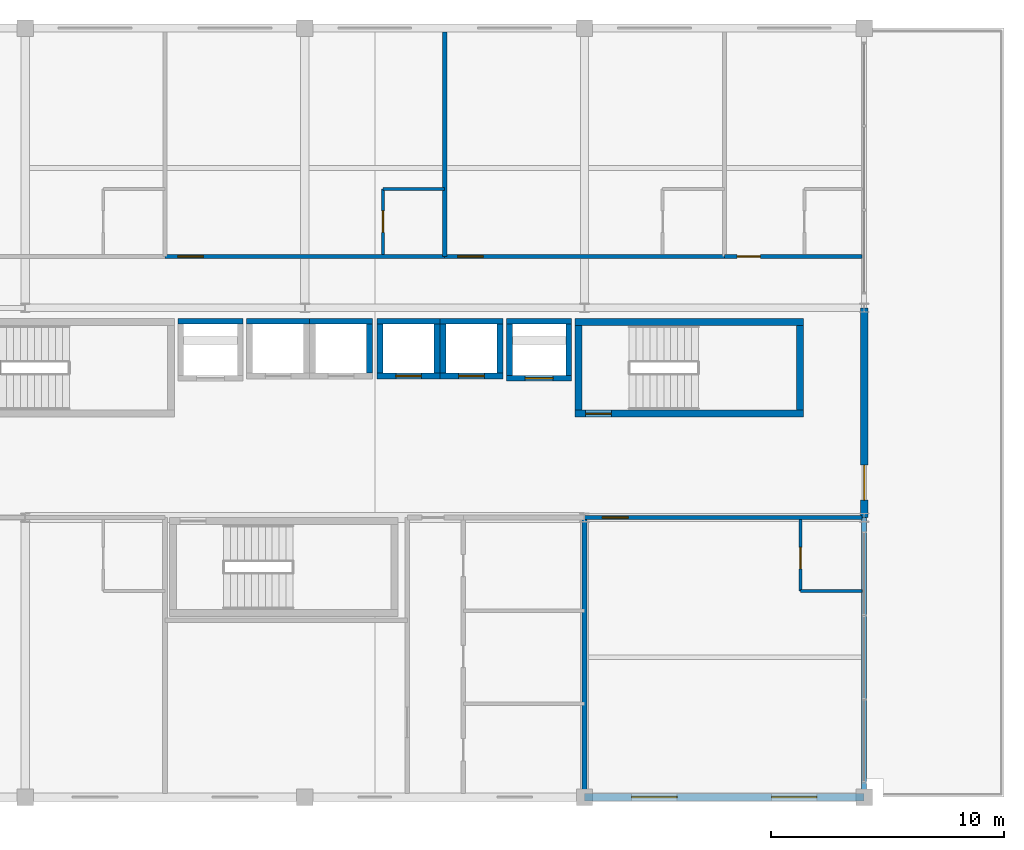
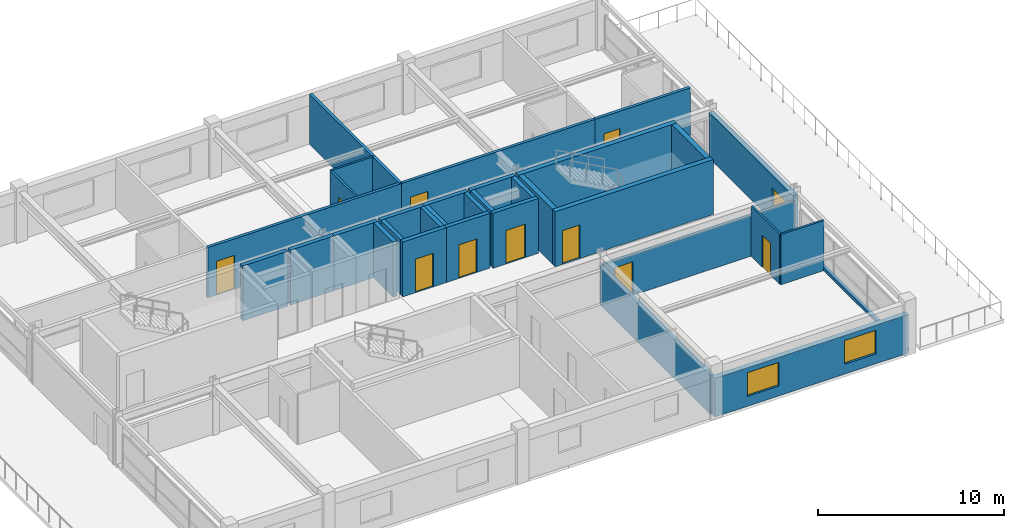
# One storey, part 21 of 24: 33 walls, 11 doors, 2 windows, 13 openings.
"""IFC4 building model written with IfcOpenShell, lengths in metres."""

from ifc_helpers import new_model, si_unit, direction, frame, frame_2d, origin, place, context, subcontext, project, spatial, rectangle, extrude, material, layer, layer_set, type_object, element, fill, save


model = new_model("IFC4")

# Units and contexts
model_context = context("Model", 3, precision=1e-05, world=origin(), true_north=direction((0.0, 1.0)))
body_context = subcontext(model_context, "Body", "Model", "MODEL_VIEW")
ifc_project = project(units=[si_unit("LENGTHUNIT", "METRE"), si_unit("AREAUNIT", "SQUARE_METRE"), si_unit("VOLUMEUNIT", "CUBIC_METRE"), si_unit("PLANEANGLEUNIT", "RADIAN"), si_unit("MASSUNIT", "GRAM", prefix="KILO")], contexts=[model_context])

# Site, building, storey
site_placement = place(None, origin())
site = spatial("IfcSite", under=ifc_project, at=site_placement, CompositionType="ELEMENT")
building_placement = place(site_placement, origin())
building = spatial("IfcBuilding", under=site, at=building_placement, Name="Kaldorvane Square Convention Centre", CompositionType="ELEMENT")
storey_placement = place(building_placement, frame((0.0, 0.0, 60.0)))
storey = spatial("IfcBuildingStorey", under=building, at=storey_placement, Name="L14", CompositionType="ELEMENT", Elevation=60.0)

# Wall, opening, door
ifc_material_1 = material(Name="Fire-Rated Gypsum Board on Acoustic Steel Studs", Category="steel")
ifc_layer_1 = layer(ifc_material_1, 0.125)
ifc_layer_set_1 = layer_set([ifc_layer_1], Name="Fire-Rated Gypsum Board on Acoustic Steel Studs")
wall_type_1 = type_object("IfcWallType", Name="WL-BATH-125", PredefinedType="PARTITIONING", material=ifc_layer_set_1)
wall_1_placement = place(storey_placement, frame((57.350006103515625, 107.28999328613281, 0.0), z_axis=(0.0, 0.0, 1.0), x_axis=(0.0, 1.0, 0.0)))
wall_1 = element("IfcWall", 1, at=wall_1_placement, inside=storey, type_object=wall_type_1, Name="En-Suite 1402 West Wall", PredefinedType="PARTITIONING", context=body_context, shape_type="SweptSolid", body=[
    extrude(rectangle(XDim=2.8100128173828125, YDim=0.125, at=frame_2d((1.404998779296875, 0.0))), origin(), (0.0, 0.0, 1.0), 3.2899932861328125),
])
opening_1_placement = place(wall_1_placement, frame((0.9499969482421875, 0.0, 0.0)))
opening_1 = element("IfcOpeningElement", 2, at=opening_1_placement, cuts=wall_1, Name="Opening ID-12", PredefinedType="OPENING", context=body_context, shape_type="SweptSolid", body=[
    extrude(rectangle(XDim=0.9199981689453125, YDim=2.100006103515625, at=frame_2d((0.459991455078125, 1.0500030517578125))), frame((0.0, 0.0774993896484375, 0.0), z_axis=(0.0, -1.0, 0.0), x_axis=(1.0, 0.0, 0.0)), (0.0, 0.0, 1.0), 0.154998779296875),
])
ifc_material_2 = material(Name="Architectural Solid-Core White Oak")
door_type_1 = type_object("IfcDoorType", Name="DR-BATH-0920X2100", OperationType="SINGLE_SWING_RIGHT", PredefinedType="DOOR", material=ifc_material_2)
door_1_placement = place(opening_1_placement, origin())
door_1 = element("IfcDoor", 3, at=door_1_placement, inside=storey, type_object=door_type_1, Name="En-Suite Bathroom 1402 Door", OperationType="SINGLE_SWING_RIGHT", OverallHeight=2.100006103515625, OverallWidth=0.9199981689453125, PredefinedType="DOOR", context=body_context, shape_type="SweptSolid", body=[
    extrude(rectangle(XDim=0.9199981689453125, YDim=2.100006103515625, at=frame_2d((0.459991455078125, 1.0500030517578125))), frame((0.0, 0.024993896484375, 0.0), z_axis=(0.0, -1.0, 0.0), x_axis=(1.0, 0.0, 0.0)), (0.0, 0.0, 1.0), 0.0500030517578125),
])
fill(opening_1, door_1)

# Wall
wall_2_placement = place(storey_placement, frame((57.350006103515625, 110.10000610351562, 0.0), z_axis=(0.0, 0.0, 1.0), x_axis=(1.0, 0.0, 0.0)))
element("IfcWall", 4, at=wall_2_placement, inside=storey, type_object=wall_type_1, Name="En-Suite 1402 North Wall", PredefinedType="PARTITIONING", context=body_context, shape_type="SweptSolid", body=[
    extrude(rectangle(XDim=2.649993896484375, YDim=0.125, at=frame_2d((1.3249969482421875, 0.0))), origin(), (0.0, 0.0, 1.0), 3.2899932861328125),
])

# Wall, opening, door
wall_3_placement = place(storey_placement, frame((75.26499938964844, 92.85000610351562, 0.0), z_axis=(0.0, 0.0, 1.0), x_axis=(0.0, 1.0, 0.0)))
wall_3 = element("IfcWall", 5, at=wall_3_placement, inside=storey, type_object=wall_type_1, Name="En-Suite 1406 West Wall", PredefinedType="PARTITIONING", context=body_context, shape_type="SweptSolid", body=[
    extrude(rectangle(XDim=3.05999755859375, YDim=0.125, at=frame_2d((1.529998779296875, 0.0))), origin(), (0.0, 0.0, 1.0), 3.2899932861328125),
])
opening_2_placement = place(wall_3_placement, frame((0.9499969482421875, 0.0, 0.0)))
opening_2 = element("IfcOpeningElement", 6, at=opening_2_placement, cuts=wall_3, Name="Opening ID-12", PredefinedType="OPENING", context=body_context, shape_type="SweptSolid", body=[
    extrude(rectangle(XDim=0.9199981689453125, YDim=2.100006103515625, at=frame_2d((0.459991455078125, 1.0500030517578125))), frame((0.0, 0.0774993896484375, 0.0), z_axis=(0.0, -1.0, 0.0), x_axis=(1.0, 0.0, 0.0)), (0.0, 0.0, 1.0), 0.154998779296875),
])
door_2_placement = place(opening_2_placement, origin())
door_2 = element("IfcDoor", 7, at=door_2_placement, inside=storey, type_object=door_type_1, Name="En-Suite Bathroom 1406 Door", OperationType="SINGLE_SWING_RIGHT", OverallHeight=2.100006103515625, OverallWidth=0.9199981689453125, PredefinedType="DOOR", context=body_context, shape_type="SweptSolid", body=[
    extrude(rectangle(XDim=0.9199981689453125, YDim=2.100006103515625, at=frame_2d((0.459991455078125, 1.0500030517578125))), frame((0.0, 0.024993896484375, 0.0), z_axis=(0.0, -1.0, 0.0), x_axis=(1.0, 0.0, 0.0)), (0.0, 0.0, 1.0), 0.0500030517578125),
])
fill(opening_2, door_2)

# Walls
wall_4_placement = place(storey_placement, frame((75.26499938964844, 92.85000610351562, 0.0), z_axis=(0.0, 0.0, 1.0), x_axis=(1.0, 0.0, 0.0)))
element("IfcWall", 8, at=wall_4_placement, inside=storey, type_object=wall_type_1, Name="En-Suite 1406 South Wall", PredefinedType="PARTITIONING", context=body_context, shape_type="SweptSolid", body=[
    extrude(rectangle(XDim=2.649993896484375, YDim=0.125, at=frame_2d((1.3249969482421875, 0.0))), origin(), (0.0, 0.0, 1.0), 3.2899932861328125),
])
ifc_layer_2 = layer(ifc_material_1, 0.1999969482421875)
ifc_layer_set_2 = layer_set([ifc_layer_2], Name="Fire-Rated Gypsum Board on Acoustic Steel Studs")
wall_type_2 = type_object("IfcWallType", Name="WL-CORR-200", PredefinedType="PARTITIONING", material=ifc_layer_set_2)
wall_5_placement = place(storey_placement, frame((66.0, 84.16000366210938, 0.0), z_axis=(0.0, 0.0, 1.0), x_axis=(0.0, 1.0, 0.0)))
element("IfcWall", 9, at=wall_5_placement, inside=storey, type_object=wall_type_2, Name="Restroom East Wall (L14)", PredefinedType="PARTITIONING", context=body_context, shape_type="SweptSolid", body=[
    extrude(rectangle(XDim=11.839996337890625, YDim=0.1999969482421875, at=frame_2d((5.9199981689453125, 0.0))), origin(), (0.0, 0.0, 1.0), 2.589996337890625),
])

# Wall, openings, windows
ifc_material_3 = material(Name="Concrete f'c = 35 MPa (Normalweight)", Category="concrete")
ifc_layer_3 = layer(ifc_material_3, 0.32000732421875)
ifc_layer_set_3 = layer_set([ifc_layer_3], Name="Concrete f'c = 35 MPa (Normalweight)")
wall_type_3 = type_object("IfcWallType", Name="WL-EXT-320", PredefinedType="STANDARD", material=ifc_layer_set_3)
wall_6_placement = place(storey_placement, frame((66.0, 84.0, 0.0), z_axis=(0.0, 0.0, 1.0), x_axis=(1.0, 0.0, 0.0)))
wall_6 = element("IfcWall", 10, at=wall_6_placement, inside=storey, type_object=wall_type_3, Name="Hotel S Brutalist Facade Wall (L14)", PredefinedType="STANDARD", context=body_context, shape_type="SweptSolid", body=[
    extrude(rectangle(XDim=12.0, YDim=0.32000732421875, at=frame_2d((6.0, 0.0))), origin(), (0.0, 0.0, 1.0), 2.5359954833984375),
])
opening_3_placement = place(wall_6_placement, frame((2.024993896484375, 0.0, 0.649993896484375)))
opening_3 = element("IfcOpeningElement", 11, at=opening_3_placement, cuts=wall_6, Name="Opening W-12", PredefinedType="OPENING", context=body_context, shape_type="SweptSolid", body=[
    extrude(rectangle(XDim=1.9499969482421875, YDim=1.5500030517578125, at=frame_2d((0.975006103515625, 0.774993896484375))), frame((0.0, 0.1750030517578125, 0.0), z_axis=(0.0, -1.0, 0.0), x_axis=(1.0, 0.0, 0.0)), (0.0, 0.0, 1.0), 0.350006103515625),
])
opening_4_placement = place(wall_6_placement, frame((8.024993896484375, 0.0, 0.649993896484375)))
opening_4 = element("IfcOpeningElement", 12, at=opening_4_placement, cuts=wall_6, Name="Opening W-12", PredefinedType="OPENING", context=body_context, shape_type="SweptSolid", body=[
    extrude(rectangle(XDim=1.9499969482421875, YDim=1.5500030517578125, at=frame_2d((0.975006103515625, 0.774993896484375))), frame((0.0, 0.1750030517578125, 0.0), z_axis=(0.0, -1.0, 0.0), x_axis=(1.0, 0.0, 0.0)), (0.0, 0.0, 1.0), 0.350006103515625),
])
ifc_material_4 = material(Name="Anodized Aluminum and Low-E Insulated Glazing", Category="aluminium")
window_type = type_object("IfcWindowType", Name="WN-HTL-1950X1550", PartitioningType="DOUBLE_PANEL_VERTICAL", PredefinedType="WINDOW", material=ifc_material_4)
window_1_placement = place(opening_3_placement, origin())
window_1 = element("IfcWindow", 13, at=window_1_placement, inside=storey, type_object=window_type, Name="Hotel S Window (L14)", OverallHeight=1.5500030517578125, OverallWidth=1.9499969482421875, PartitioningType="DOUBLE_PANEL_VERTICAL", PredefinedType="WINDOW", context=body_context, shape_type="SweptSolid", body=[
    extrude(rectangle(XDim=1.9499969482421875, YDim=1.5500030517578125, at=frame_2d((0.975006103515625, 0.774993896484375))), frame((0.0, 0.029998779296875, 0.0), z_axis=(0.0, -1.0, 0.0), x_axis=(1.0, 0.0, 0.0)), (0.0, 0.0, 1.0), 0.05999755859375),
])
fill(opening_3, window_1)
window_2_placement = place(opening_4_placement, origin())
window_2 = element("IfcWindow", 14, at=window_2_placement, inside=storey, type_object=window_type, Name="Hotel S Window (L14)", OverallHeight=1.5500030517578125, OverallWidth=1.9499969482421875, PartitioningType="DOUBLE_PANEL_VERTICAL", PredefinedType="WINDOW", context=body_context, shape_type="SweptSolid", body=[
    extrude(rectangle(XDim=1.9499969482421875, YDim=1.5500030517578125, at=frame_2d((0.975006103515625, 0.774993896484375))), frame((0.0, 0.029998779296875, 0.0), z_axis=(0.0, -1.0, 0.0), x_axis=(1.0, 0.0, 0.0)), (0.0, 0.0, 1.0), 0.05999755859375),
])
fill(opening_4, window_2)

# Wall, opening, door
wall_7_placement = place(storey_placement, frame((78.0, 96.0, 0.0), z_axis=(0.0, 0.0, 1.0), x_axis=(0.0, 1.0, 0.0)))
wall_7 = element("IfcWall", 15, at=wall_7_placement, inside=storey, type_object=wall_type_3, Name="Hotel E End Wall (L14)", PredefinedType="STANDARD", context=body_context, shape_type="SweptSolid", body=[
    extrude(rectangle(XDim=9.0, YDim=0.32000732421875, at=frame_2d((4.5, 0.0))), origin(), (0.0, 0.0, 1.0), 2.9810028076171875),
])
opening_5_placement = place(wall_7_placement, frame((0.75, 0.0, 0.0)))
opening_5 = element("IfcOpeningElement", 16, at=opening_5_placement, cuts=wall_7, Name="Opening TD-03", PredefinedType="OPENING", context=body_context, shape_type="SweptSolid", body=[
    extrude(rectangle(XDim=1.5, YDim=2.149993896484375, at=frame_2d((0.75, 1.0749969482421875))), frame((0.0, 0.1750030517578125, 0.0), z_axis=(0.0, -1.0, 0.0), x_axis=(1.0, 0.0, 0.0)), (0.0, 0.0, 1.0), 0.350006103515625),
])
ifc_material_5 = material(Name="Thermally Broken Aluminum and Tempered Glass", Category="aluminium")
door_type_2 = type_object("IfcDoorType", Name="DR-TER-1500X2150", OperationType="DOUBLE_DOOR_SLIDING", PredefinedType="DOOR", material=ifc_material_5)
door_3_placement = place(opening_5_placement, origin())
door_3 = element("IfcDoor", 17, at=door_3_placement, inside=storey, type_object=door_type_2, Name="Setback Sky Terrace Door E (L14)", OperationType="DOUBLE_DOOR_SLIDING", OverallHeight=2.149993896484375, OverallWidth=1.5, PredefinedType="DOOR", context=body_context, shape_type="SweptSolid", body=[
    extrude(rectangle(XDim=1.5, YDim=2.149993896484375, at=frame_2d((0.75, 1.0749969482421875))), frame((0.0, 0.024993896484375, 0.0), z_axis=(0.0, -1.0, 0.0), x_axis=(1.0, 0.0, 0.0)), (0.0, 0.0, 1.0), 0.0500030517578125),
])
fill(opening_5, door_3)

# Wall
ifc_layer_4 = layer(ifc_material_3, 0.220001220703125)
ifc_layer_set_4 = layer_set([ifc_layer_4], Name="Concrete f'c = 35 MPa (Normalweight)")
wall_type_4 = type_object("IfcWallType", Name="WL-PAR-220", PredefinedType="PARAPET", material=ifc_layer_set_4)
wall_8_placement = place(storey_placement, frame((78.0, 84.0, 0.0), z_axis=(0.0, 0.0, 1.0), x_axis=(0.0, 1.0, 0.0)))
element("IfcWall", 18, at=wall_8_placement, inside=storey, type_object=wall_type_4, Name="Hotel End Curtain-Wall Sill (L14)", PredefinedType="PARAPET", context=body_context, shape_type="SweptSolid", body=[
    extrude(rectangle(XDim=12.0, YDim=0.220001220703125, at=frame_2d((6.0, 0.0))), origin(), (0.0, 0.0, 1.0), 0.1999969482421875),
])

# Wall, opening, door
ifc_material_6 = material(Name="Concrete f'c = 55 MPa (Normalweight)", Category="concrete")
ifc_layer_5 = layer(ifc_material_6, 0.3000030517578125)
ifc_layer_set_5 = layer_set([ifc_layer_5], Name="Concrete f'c = 55 MPa (Normalweight)")
wall_type_5 = type_object("IfcWallType", Name="WL-SHAFT-300", PredefinedType="SHEAR", material=ifc_layer_set_5)
wall_9_placement = place(storey_placement, frame((65.60000610351562, 100.46000671386719, 0.0), z_axis=(0.0, 0.0, 1.0), x_axis=(1.0, 0.0, 0.0)))
wall_9 = element("IfcWall", 19, at=wall_9_placement, inside=storey, type_object=wall_type_5, Name="Core Enclosure Wall stair:ST-T2-S (L14)", PredefinedType="SHEAR", context=body_context, shape_type="SweptSolid", body=[
    extrude(rectangle(XDim=9.79998779296875, YDim=0.3000030517578125, at=frame_2d((4.899993896484375, 0.0))), origin(), (0.0, 0.0, 1.0), 3.600006103515625),
])
opening_6_placement = place(wall_9_placement, frame((0.4499969482421875, 0.0, 0.0)))
opening_6 = element("IfcOpeningElement", 20, at=opening_6_placement, cuts=wall_9, Name="Opening FD90-S1", PredefinedType="OPENING", context=body_context, shape_type="SweptSolid", body=[
    extrude(rectangle(XDim=1.100006103515625, YDim=2.1999969482421875, at=frame_2d((0.5500030517578125, 1.100006103515625))), frame((0.0, 0.165008544921875, 0.0), z_axis=(0.0, -1.0, 0.0), x_axis=(1.0, 0.0, 0.0)), (0.0, 0.0, 1.0), 0.3300018310546875),
])
ifc_material_7 = material(Name="Fire-Rated Hollow Metal Steel", Category="steel")
door_type_3 = type_object("IfcDoorType", Name="DR-STAIR-1100", OperationType="SINGLE_SWING_RIGHT", PredefinedType="DOOR", material=ifc_material_7)
door_4_placement = place(opening_6_placement, origin())
door_4 = element("IfcDoor", 21, at=door_4_placement, inside=storey, type_object=door_type_3, Name="Tower Exit Stair T2 Fire Door (L14)", OperationType="SINGLE_SWING_RIGHT", OverallHeight=2.1999969482421875, OverallWidth=1.100006103515625, PredefinedType="DOOR", context=body_context, shape_type="SweptSolid", body=[
    extrude(rectangle(XDim=1.100006103515625, YDim=2.1999969482421875, at=frame_2d((0.5500030517578125, 1.100006103515625))), frame((0.0, 0.024993896484375, 0.0), z_axis=(0.0, -1.0, 0.0), x_axis=(1.0, 0.0, 0.0)), (0.0, 0.0, 1.0), 0.0500030517578125),
])
fill(opening_6, door_4)

# Walls
wall_10_placement = place(storey_placement, frame((75.39999389648438, 104.39999389648438, 0.0), z_axis=(0.0, 0.0, 1.0), x_axis=(-1.0, 0.0, 0.0)))
element("IfcWall", 22, at=wall_10_placement, inside=storey, type_object=wall_type_5, Name="Core Enclosure Wall stair:ST-T2-N (L14)", PredefinedType="SHEAR", context=body_context, shape_type="SweptSolid", body=[
    extrude(rectangle(XDim=9.79998779296875, YDim=0.3000030517578125, at=frame_2d((4.899993896484375, 0.0))), origin(), (0.0, 0.0, 1.0), 3.600006103515625),
])
for number, where, z_axis, x_axis, name in (
    (23, (65.75, 104.25, 0.0), (0.0, 0.0, 1.0), (0.0, -1.0, 0.0), "Core Enclosure Wall stair:ST-T2-W (L14)"),
    (24, (75.25, 100.61000061035156, 0.0), (0.0, 0.0, 1.0), (0.0, 1.0, 0.0), "Core Enclosure Wall stair:ST-T2-E (L14)"),
):
    element("IfcWall", number, at=place(storey_placement, frame(where, z_axis=z_axis, x_axis=x_axis)), inside=storey, type_object=wall_type_5, Name=name, PredefinedType="SHEAR", context=body_context, shape_type="SweptSolid", body=[
        extrude(rectangle(XDim=3.6399993896484375, YDim=0.3000030517578125, at=frame_2d((1.82000732421875, 0.0))), origin(), (0.0, 0.0, 1.0), 3.600006103515625),
    ])
wall_11_placement = place(storey_placement, frame((51.350006103515625, 104.42500305175781, 0.0), z_axis=(0.0, 0.0, 1.0), x_axis=(-1.0, 0.0, 0.0)))
element("IfcWall", 25, at=wall_11_placement, inside=storey, type_object=wall_type_5, Name="Core Enclosure Wall lift:FSAE-01-N (L14)", PredefinedType="SHEAR", context=body_context, shape_type="SweptSolid", body=[
    extrude(rectangle(XDim=2.8000030517578125, YDim=0.25, at=frame_2d((1.399993896484375, 0.0))), origin(), (0.0, 0.0, 1.0), 3.600006103515625),
])

# Wall, opening, door
wall_12_placement = place(storey_placement, frame((62.649993896484375, 101.97500610351562, 0.0), z_axis=(0.0, 0.0, 1.0), x_axis=(1.0, 0.0, 0.0)))
wall_12 = element("IfcWall", 26, at=wall_12_placement, inside=storey, type_object=wall_type_5, Name="Core Enclosure Wall lift:FSAE-02-S (L14)", PredefinedType="SHEAR", context=body_context, shape_type="SweptSolid", body=[
    extrude(rectangle(XDim=2.8000030517578125, YDim=0.25, at=frame_2d((1.399993896484375, 0.0))), origin(), (0.0, 0.0, 1.0), 3.600006103515625),
])
opening_7_placement = place(wall_12_placement, frame((0.8000030517578125, 0.0, 0.0)))
opening_7 = element("IfcOpeningElement", 27, at=opening_7_placement, cuts=wall_12, Name="Opening LD-02", PredefinedType="OPENING", context=body_context, shape_type="SweptSolid", body=[
    extrude(rectangle(XDim=1.1999969482421875, YDim=2.1999969482421875, at=frame_2d((0.600006103515625, 1.100006103515625))), frame((0.0, 0.1399993896484375, 0.0), z_axis=(0.0, -1.0, 0.0), x_axis=(1.0, 0.0, 0.0)), (0.0, 0.0, 1.0), 0.279998779296875),
])
ifc_material_8 = material(Name="Stainless Steel Elevator Door Assembly", Category="steel")
door_type_4 = type_object("IfcDoorType", Name="DR-LIFT-1200", OperationType="DOUBLE_DOOR_SLIDING", PredefinedType="DOOR", material=ifc_material_8)
door_5_placement = place(opening_7_placement, origin())
door_5 = element("IfcDoor", 28, at=door_5_placement, inside=storey, type_object=door_type_4, Name="Elevator Landing Door FSAE-02 (L14)", OperationType="DOUBLE_DOOR_SLIDING", OverallHeight=2.1999969482421875, OverallWidth=1.1999969482421875, PredefinedType="DOOR", context=body_context, shape_type="SweptSolid", body=[
    extrude(rectangle(XDim=1.1999969482421875, YDim=2.1999969482421875, at=frame_2d((0.600006103515625, 1.100006103515625))), frame((0.0, 0.024993896484375, 0.0), z_axis=(0.0, -1.0, 0.0), x_axis=(1.0, 0.0, 0.0)), (0.0, 0.0, 1.0), 0.0500030517578125),
])
fill(opening_7, door_5)

# Walls
wall_13_placement = place(storey_placement, frame((65.44999694824219, 104.42500305175781, 0.0), z_axis=(0.0, 0.0, 1.0), x_axis=(-1.0, 0.0, 0.0)))
element("IfcWall", 29, at=wall_13_placement, inside=storey, type_object=wall_type_5, Name="Core Enclosure Wall lift:FSAE-02-N (L14)", PredefinedType="SHEAR", context=body_context, shape_type="SweptSolid", body=[
    extrude(rectangle(XDim=2.8000030517578125, YDim=0.25, at=frame_2d((1.399993896484375, 0.0))), origin(), (0.0, 0.0, 1.0), 3.600006103515625),
])
for number, where, z_axis, x_axis, name in (
    (30, (62.774993896484375, 104.30000305175781, 0.0), (0.0, 0.0, 1.0), (0.0, -1.0, 0.0), "Core Enclosure Wall lift:FSAE-02-W (L14)"),
    (31, (65.32499694824219, 102.10000610351562, 0.0), (0.0, 0.0, 1.0), (0.0, 1.0, 0.0), "Core Enclosure Wall lift:FSAE-02-E (L14)"),
):
    element("IfcWall", number, at=place(storey_placement, frame(where, z_axis=z_axis, x_axis=x_axis)), inside=storey, type_object=wall_type_5, Name=name, PredefinedType="SHEAR", context=body_context, shape_type="SweptSolid", body=[
        extrude(rectangle(XDim=2.1999969482421875, YDim=0.25, at=frame_2d((1.100006103515625, 0.0))), origin(), (0.0, 0.0, 1.0), 3.600006103515625),
    ])
for number, where, z_axis, x_axis, name in (
    (32, (54.19999694824219, 104.42500305175781, 0.0), (0.0, 0.0, 1.0), (-1.0, 0.0, 0.0), "Core Enclosure Wall lift:EL-P1-N (L14)"),
    (33, (56.899993896484375, 104.42500305175781, 0.0), (0.0, 0.0, 1.0), (-1.0, 0.0, 0.0), "Core Enclosure Wall lift:EL-P2-N (L14)"),
):
    element("IfcWall", number, at=place(storey_placement, frame(where, z_axis=z_axis, x_axis=x_axis)), inside=storey, type_object=wall_type_5, Name=name, PredefinedType="SHEAR", context=body_context, shape_type="SweptSolid", body=[
        extrude(rectangle(XDim=2.6999969482421875, YDim=0.25, at=frame_2d((1.350006103515625, 0.0))), origin(), (0.0, 0.0, 1.0), 3.600006103515625),
    ])
wall_14_placement = place(storey_placement, frame((56.774993896484375, 102.19999694824219, 0.0), z_axis=(0.0, 0.0, 1.0), x_axis=(0.0, 1.0, 0.0)))
element("IfcWall", 34, at=wall_14_placement, inside=storey, type_object=wall_type_5, Name="Core Enclosure Wall lift:EL-P2-E (L14)", PredefinedType="SHEAR", context=body_context, shape_type="SweptSolid", body=[
    extrude(rectangle(XDim=2.100006103515625, YDim=0.25, at=frame_2d((1.0500030517578125, 0.0))), origin(), (0.0, 0.0, 1.0), 3.600006103515625),
])

# Wall, opening, door
wall_15_placement = place(storey_placement, frame((57.100006103515625, 102.07499694824219, 0.0), z_axis=(0.0, 0.0, 1.0), x_axis=(1.0, 0.0, 0.0)))
wall_15 = element("IfcWall", 35, at=wall_15_placement, inside=storey, type_object=wall_type_5, Name="Core Enclosure Wall lift:EL-P3-S (L14)", PredefinedType="SHEAR", context=body_context, shape_type="SweptSolid", body=[
    extrude(rectangle(XDim=2.6999969482421875, YDim=0.25, at=frame_2d((1.350006103515625, 0.0))), origin(), (0.0, 0.0, 1.0), 3.600006103515625),
])
opening_8_placement = place(wall_15_placement, frame((0.8000030517578125, 0.0, 0.0)))
opening_8 = element("IfcOpeningElement", 36, at=opening_8_placement, cuts=wall_15, Name="Opening LD-01", PredefinedType="OPENING", context=body_context, shape_type="SweptSolid", body=[
    extrude(rectangle(XDim=1.100006103515625, YDim=2.1999969482421875, at=frame_2d((0.5500030517578125, 1.100006103515625))), frame((0.0, 0.1399993896484375, 0.0), z_axis=(0.0, -1.0, 0.0), x_axis=(1.0, 0.0, 0.0)), (0.0, 0.0, 1.0), 0.279998779296875),
])
door_type_5 = type_object("IfcDoorType", Name="DR-LIFT-1100", OperationType="DOUBLE_DOOR_SLIDING", PredefinedType="DOOR", material=ifc_material_8)
door_6_placement = place(opening_8_placement, origin())
door_6 = element("IfcDoor", 37, at=door_6_placement, inside=storey, type_object=door_type_5, Name="Elevator Landing Door EL-P3 (L14)", OperationType="DOUBLE_DOOR_SLIDING", OverallHeight=2.1999969482421875, OverallWidth=1.100006103515625, PredefinedType="DOOR", context=body_context, shape_type="SweptSolid", body=[
    extrude(rectangle(XDim=1.100006103515625, YDim=2.1999969482421875, at=frame_2d((0.5500030517578125, 1.100006103515625))), frame((0.0, 0.024993896484375, 0.0), z_axis=(0.0, -1.0, 0.0), x_axis=(1.0, 0.0, 0.0)), (0.0, 0.0, 1.0), 0.0500030517578125),
])
fill(opening_8, door_6)

# Walls
wall_16_placement = place(storey_placement, frame((59.80000305175781, 104.42500305175781, 0.0), z_axis=(0.0, 0.0, 1.0), x_axis=(-1.0, 0.0, 0.0)))
element("IfcWall", 38, at=wall_16_placement, inside=storey, type_object=wall_type_5, Name="Core Enclosure Wall lift:EL-P3-N (L14)", PredefinedType="SHEAR", context=body_context, shape_type="SweptSolid", body=[
    extrude(rectangle(XDim=2.6999969482421875, YDim=0.25, at=frame_2d((1.350006103515625, 0.0))), origin(), (0.0, 0.0, 1.0), 3.600006103515625),
])
for number, where, z_axis, x_axis, name in (
    (39, (57.225006103515625, 104.30000305175781, 0.0), (0.0, 0.0, 1.0), (0.0, -1.0, 0.0), "Core Enclosure Wall lift:EL-P3-W (L14)"),
    (40, (59.67500305175781, 102.19999694824219, 0.0), (0.0, 0.0, 1.0), (0.0, 1.0, 0.0), "Core Enclosure Wall lift:EL-P3-E (L14)"),
):
    element("IfcWall", number, at=place(storey_placement, frame(where, z_axis=z_axis, x_axis=x_axis)), inside=storey, type_object=wall_type_5, Name=name, PredefinedType="SHEAR", context=body_context, shape_type="SweptSolid", body=[
        extrude(rectangle(XDim=2.100006103515625, YDim=0.25, at=frame_2d((1.0500030517578125, 0.0))), origin(), (0.0, 0.0, 1.0), 3.600006103515625),
    ])

# Wall, opening, door
wall_17_placement = place(storey_placement, frame((59.80000305175781, 102.07499694824219, 0.0), z_axis=(0.0, 0.0, 1.0), x_axis=(1.0, 0.0, 0.0)))
wall_17 = element("IfcWall", 41, at=wall_17_placement, inside=storey, type_object=wall_type_5, Name="Core Enclosure Wall lift:EL-P4-S (L14)", PredefinedType="SHEAR", context=body_context, shape_type="SweptSolid", body=[
    extrude(rectangle(XDim=2.6999969482421875, YDim=0.25, at=frame_2d((1.350006103515625, 0.0))), origin(), (0.0, 0.0, 1.0), 3.600006103515625),
])
opening_9_placement = place(wall_17_placement, frame((0.8000030517578125, 0.0, 0.0)))
opening_9 = element("IfcOpeningElement", 42, at=opening_9_placement, cuts=wall_17, Name="Opening LD-01", PredefinedType="OPENING", context=body_context, shape_type="SweptSolid", body=[
    extrude(rectangle(XDim=1.100006103515625, YDim=2.1999969482421875, at=frame_2d((0.5500030517578125, 1.100006103515625))), frame((0.0, 0.1399993896484375, 0.0), z_axis=(0.0, -1.0, 0.0), x_axis=(1.0, 0.0, 0.0)), (0.0, 0.0, 1.0), 0.279998779296875),
])
door_7_placement = place(opening_9_placement, origin())
door_7 = element("IfcDoor", 43, at=door_7_placement, inside=storey, type_object=door_type_5, Name="Elevator Landing Door EL-P4 (L14)", OperationType="DOUBLE_DOOR_SLIDING", OverallHeight=2.1999969482421875, OverallWidth=1.100006103515625, PredefinedType="DOOR", context=body_context, shape_type="SweptSolid", body=[
    extrude(rectangle(XDim=1.100006103515625, YDim=2.1999969482421875, at=frame_2d((0.5500030517578125, 1.100006103515625))), frame((0.0, 0.024993896484375, 0.0), z_axis=(0.0, -1.0, 0.0), x_axis=(1.0, 0.0, 0.0)), (0.0, 0.0, 1.0), 0.0500030517578125),
])
fill(opening_9, door_7)

# Walls
wall_18_placement = place(storey_placement, frame((62.5, 104.42500305175781, 0.0), z_axis=(0.0, 0.0, 1.0), x_axis=(-1.0, 0.0, 0.0)))
element("IfcWall", 44, at=wall_18_placement, inside=storey, type_object=wall_type_5, Name="Core Enclosure Wall lift:EL-P4-N (L14)", PredefinedType="SHEAR", context=body_context, shape_type="SweptSolid", body=[
    extrude(rectangle(XDim=2.6999969482421875, YDim=0.25, at=frame_2d((1.350006103515625, 0.0))), origin(), (0.0, 0.0, 1.0), 3.600006103515625),
])
for number, where, z_axis, x_axis, name in (
    (45, (59.92500305175781, 104.30000305175781, 0.0), (0.0, 0.0, 1.0), (0.0, -1.0, 0.0), "Core Enclosure Wall lift:EL-P4-W (L14)"),
    (46, (62.375, 102.19999694824219, 0.0), (0.0, 0.0, 1.0), (0.0, 1.0, 0.0), "Core Enclosure Wall lift:EL-P4-E (L14)"),
):
    element("IfcWall", number, at=place(storey_placement, frame(where, z_axis=z_axis, x_axis=x_axis)), inside=storey, type_object=wall_type_5, Name=name, PredefinedType="SHEAR", context=body_context, shape_type="SweptSolid", body=[
        extrude(rectangle(XDim=2.100006103515625, YDim=0.25, at=frame_2d((1.0500030517578125, 0.0))), origin(), (0.0, 0.0, 1.0), 3.600006103515625),
    ])

# Wall, opening, door
ifc_layer_6 = layer(ifc_material_1, 0.17999267578125)
ifc_layer_set_6 = layer_set([ifc_layer_6], Name="Fire-Rated Gypsum Board on Acoustic Steel Studs")
wall_type_6 = type_object("IfcWallType", Name="WL-UNIT-180", PredefinedType="PARTITIONING", material=ifc_layer_set_6)
wall_19_placement = place(storey_placement, frame((48.0, 107.19999694824219, 0.0), z_axis=(0.0, 0.0, 1.0), x_axis=(1.0, 0.0, 0.0)))
wall_19 = element("IfcWall", 47, at=wall_19_placement, inside=storey, type_object=wall_type_6, Name="Presidential Suite 1402 Corridor Wall", PredefinedType="PARTITIONING", context=body_context, shape_type="SweptSolid", body=[
    extrude(rectangle(XDim=12.0, YDim=0.17999267578125, at=frame_2d((6.0, 0.0))), origin(), (0.0, 0.0, 1.0), 3.2899932861328125),
])
opening_10_placement = place(wall_19_placement, frame((0.5500030517578125, 0.0, 0.0)))
opening_10 = element("IfcOpeningElement", 48, at=opening_10_placement, cuts=wall_19, Name="Opening ID-11", PredefinedType="OPENING", context=body_context, shape_type="SweptSolid", body=[
    extrude(rectangle(XDim=1.100006103515625, YDim=2.1999969482421875, at=frame_2d((0.5500030517578125, 1.100006103515625))), frame((0.0, 0.1049957275390625, 0.0), z_axis=(0.0, -1.0, 0.0), x_axis=(1.0, 0.0, 0.0)), (0.0, 0.0, 1.0), 0.209991455078125),
])
door_type_6 = type_object("IfcDoorType", Name="DR-SUITE-1100X2200", OperationType="SINGLE_SWING_LEFT", PredefinedType="DOOR", material=ifc_material_2)
door_8_placement = place(opening_10_placement, origin())
door_8 = element("IfcDoor", 49, at=door_8_placement, inside=storey, type_object=door_type_6, Name="Presidential Suite 1402 Entry Door", OperationType="SINGLE_SWING_LEFT", OverallHeight=2.1999969482421875, OverallWidth=1.100006103515625, PredefinedType="DOOR", context=body_context, shape_type="SweptSolid", body=[
    extrude(rectangle(XDim=1.100006103515625, YDim=2.1999969482421875, at=frame_2d((0.5500030517578125, 1.100006103515625))), frame((0.0, 0.024993896484375, 0.0), z_axis=(0.0, -1.0, 0.0), x_axis=(1.0, 0.0, 0.0)), (0.0, 0.0, 1.0), 0.0500030517578125),
])
fill(opening_10, door_8)

# Wall
wall_20_placement = place(storey_placement, frame((60.0, 107.19999694824219, 0.0), z_axis=(0.0, 0.0, 1.0), x_axis=(0.0, 1.0, 0.0)))
element("IfcWall", 50, at=wall_20_placement, inside=storey, type_object=wall_type_6, Name="Guestroom Demising Wall 1402", PredefinedType="PARTITIONING", context=body_context, shape_type="SweptSolid", body=[
    extrude(rectangle(XDim=9.639999389648438, YDim=0.17999267578125, at=frame_2d((4.82000732421875, 0.0))), origin(), (0.0, 0.0, 1.0), 3.2899932861328125),
])

# Wall, opening, door
wall_21_placement = place(storey_placement, frame((60.0, 107.19999694824219, 0.0), z_axis=(0.0, 0.0, 1.0), x_axis=(1.0, 0.0, 0.0)))
wall_21 = element("IfcWall", 51, at=wall_21_placement, inside=storey, type_object=wall_type_6, Name="Presidential Suite 1403 Corridor Wall", PredefinedType="PARTITIONING", context=body_context, shape_type="SweptSolid", body=[
    extrude(rectangle(XDim=12.0, YDim=0.17999267578125, at=frame_2d((6.0, 0.0))), origin(), (0.0, 0.0, 1.0), 3.2899932861328125),
])
opening_11_placement = place(wall_21_placement, frame((0.5500030517578125, 0.0, 0.0)))
opening_11 = element("IfcOpeningElement", 52, at=opening_11_placement, cuts=wall_21, Name="Opening ID-11", PredefinedType="OPENING", context=body_context, shape_type="SweptSolid", body=[
    extrude(rectangle(XDim=1.100006103515625, YDim=2.1999969482421875, at=frame_2d((0.5500030517578125, 1.100006103515625))), frame((0.0, 0.1049957275390625, 0.0), z_axis=(0.0, -1.0, 0.0), x_axis=(1.0, 0.0, 0.0)), (0.0, 0.0, 1.0), 0.209991455078125),
])
door_9_placement = place(opening_11_placement, origin())
door_9 = element("IfcDoor", 53, at=door_9_placement, inside=storey, type_object=door_type_6, Name="Presidential Suite 1403 Entry Door", OperationType="SINGLE_SWING_LEFT", OverallHeight=2.1999969482421875, OverallWidth=1.100006103515625, PredefinedType="DOOR", context=body_context, shape_type="SweptSolid", body=[
    extrude(rectangle(XDim=1.100006103515625, YDim=2.1999969482421875, at=frame_2d((0.5500030517578125, 1.100006103515625))), frame((0.0, 0.024993896484375, 0.0), z_axis=(0.0, -1.0, 0.0), x_axis=(1.0, 0.0, 0.0)), (0.0, 0.0, 1.0), 0.0500030517578125),
])
fill(opening_11, door_9)

wall_22_placement = place(storey_placement, frame((72.0, 107.19999694824219, 0.0), z_axis=(0.0, 0.0, 1.0), x_axis=(1.0, 0.0, 0.0)))
wall_22 = element("IfcWall", 54, at=wall_22_placement, inside=storey, type_object=wall_type_6, Name="Hotel Guest Room 1404 Corridor Wall", PredefinedType="PARTITIONING", context=body_context, shape_type="SweptSolid", body=[
    extrude(rectangle(XDim=5.9149932861328125, YDim=0.17999267578125, at=frame_2d((2.957489013671875, 0.0))), origin(), (0.0, 0.0, 1.0), 3.2899932861328125),
])
opening_12_placement = place(wall_22_placement, frame((0.5500030517578125, 0.0, 0.0)))
opening_12 = element("IfcOpeningElement", 55, at=opening_12_placement, cuts=wall_22, Name="Opening ID-10", PredefinedType="OPENING", context=body_context, shape_type="SweptSolid", body=[
    extrude(rectangle(XDim=1.0, YDim=2.149993896484375, at=frame_2d((0.5, 1.0749969482421875))), frame((0.0, 0.1049957275390625, 0.0), z_axis=(0.0, -1.0, 0.0), x_axis=(1.0, 0.0, 0.0)), (0.0, 0.0, 1.0), 0.209991455078125),
])
door_type_7 = type_object("IfcDoorType", Name="DR-GUEST-1000X2150", OperationType="SINGLE_SWING_LEFT", PredefinedType="DOOR", material=ifc_material_2)
door_10_placement = place(opening_12_placement, origin())
door_10 = element("IfcDoor", 56, at=door_10_placement, inside=storey, type_object=door_type_7, Name="Hotel Guest Room 1404 Entry Door", OperationType="SINGLE_SWING_LEFT", OverallHeight=2.149993896484375, OverallWidth=1.0, PredefinedType="DOOR", context=body_context, shape_type="SweptSolid", body=[
    extrude(rectangle(XDim=1.0, YDim=2.149993896484375, at=frame_2d((0.5, 1.0749969482421875))), frame((0.0, 0.024993896484375, 0.0), z_axis=(0.0, -1.0, 0.0), x_axis=(1.0, 0.0, 0.0)), (0.0, 0.0, 1.0), 0.0500030517578125),
])
fill(opening_12, door_10)

wall_23_placement = place(storey_placement, frame((66.0, 96.0, 0.0), z_axis=(0.0, 0.0, 1.0), x_axis=(1.0, 0.0, 0.0)))
wall_23 = element("IfcWall", 57, at=wall_23_placement, inside=storey, type_object=wall_type_6, Name="Presidential Suite 1406 Corridor Wall", PredefinedType="PARTITIONING", context=body_context, shape_type="SweptSolid", body=[
    extrude(rectangle(XDim=11.914993286132812, YDim=0.17999267578125, at=frame_2d((5.957489013671875, 0.0))), origin(), (0.0, 0.0, 1.0), 2.66400146484375),
])
opening_13_placement = place(wall_23_placement, frame((0.7700042724609375, 0.0, 0.0)))
opening_13 = element("IfcOpeningElement", 58, at=opening_13_placement, cuts=wall_23, Name="Opening ID-11", PredefinedType="OPENING", context=body_context, shape_type="SweptSolid", body=[
    extrude(rectangle(XDim=1.100006103515625, YDim=2.1999969482421875, at=frame_2d((0.5500030517578125, 1.100006103515625))), frame((0.0, 0.1049957275390625, 0.0), z_axis=(0.0, -1.0, 0.0), x_axis=(1.0, 0.0, 0.0)), (0.0, 0.0, 1.0), 0.209991455078125),
])
door_11_placement = place(opening_13_placement, origin())
door_11 = element("IfcDoor", 59, at=door_11_placement, inside=storey, type_object=door_type_6, Name="Presidential Suite 1406 Entry Door", OperationType="SINGLE_SWING_LEFT", OverallHeight=2.1999969482421875, OverallWidth=1.100006103515625, PredefinedType="DOOR", context=body_context, shape_type="SweptSolid", body=[
    extrude(rectangle(XDim=1.100006103515625, YDim=2.1999969482421875, at=frame_2d((0.5500030517578125, 1.100006103515625))), frame((0.0, 0.024993896484375, 0.0), z_axis=(0.0, -1.0, 0.0), x_axis=(1.0, 0.0, 0.0)), (0.0, 0.0, 1.0), 0.0500030517578125),
])
fill(opening_13, door_11)

save(model, "model.ifc")
